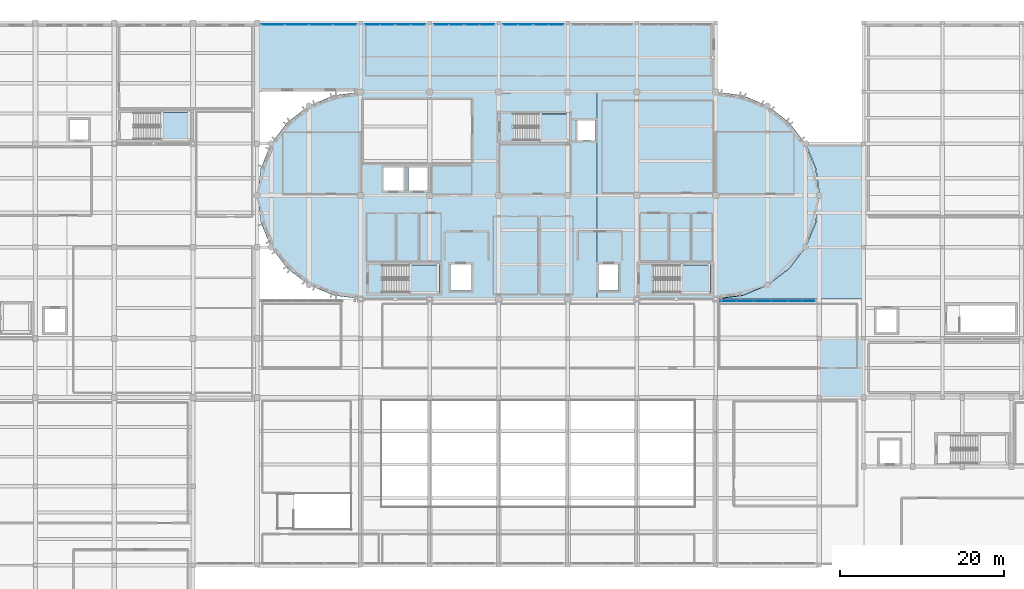
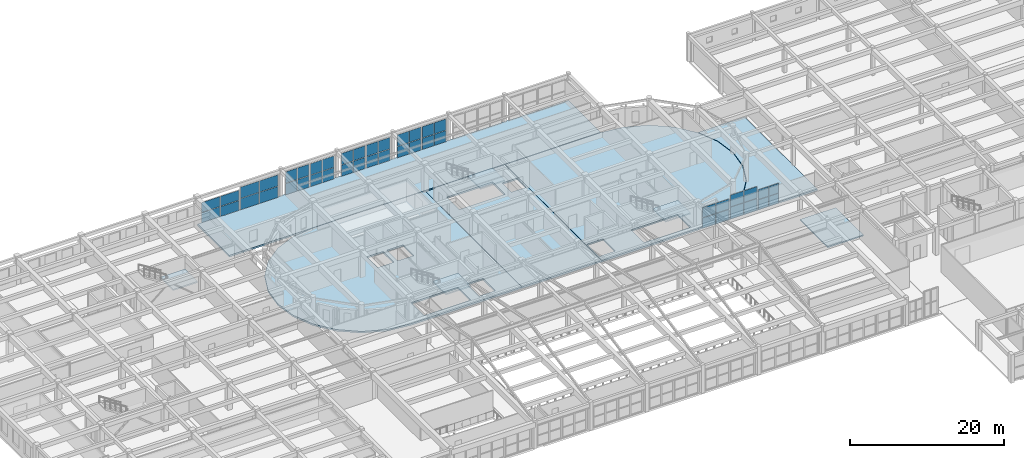
# One storey, part 62 of 91: 44 plates, 10 slabs, 15 elements without a shape of their own.
"""IFC4 building model written with IfcOpenShell, lengths in metres."""

from ifc_helpers import new_model, si_unit, direction, frame, origin, origin_2d, place, context, subcontext, project, spatial, polyline, rectangle, outline, extrude, material, layer, layer_set, type_object, element, aggregate, save


model = new_model("IFC4")

# Units and contexts
model_context = context("Model", 3, precision=1e-05, world=origin(), true_north=direction((0.0, 1.0)))
body_context = subcontext(model_context, "Body", "Model", "MODEL_VIEW")
ifc_project = project(units=[si_unit("LENGTHUNIT", "METRE"), si_unit("AREAUNIT", "SQUARE_METRE"), si_unit("VOLUMEUNIT", "CUBIC_METRE"), si_unit("PLANEANGLEUNIT", "RADIAN"), si_unit("MASSUNIT", "GRAM", prefix="KILO")], contexts=[model_context])

# Site, building, storey
site_placement = place(None, origin())
site = spatial("IfcSite", under=ifc_project, at=site_placement, CompositionType="ELEMENT")
building_placement = place(site_placement, origin())
building = spatial("IfcBuilding", under=site, at=building_placement, Name="Tarnavel Promenade Courthouse", CompositionType="ELEMENT")
storey_placement = place(building_placement, frame((0.0, 0.0, 9.89990234375)))
storey = spatial("IfcBuildingStorey", under=building, at=storey_placement, Name="L03", CompositionType="ELEMENT", Elevation=9.89990234375)

# Slab
ifc_material_1 = material(Name="Concrete C35/45", Category="concrete")
ifc_layer_1 = layer(ifc_material_1, 0.195068359375)
ifc_layer_set_1 = layer_set([ifc_layer_1], Name="Concrete C35/45")
slab_type_1 = type_object("IfcSlabType", Name="Concrete C35/45 SLB-RF-195 (195 mm)", PredefinedType="ROOF", material=ifc_layer_set_1)
slab_1_placement = place(storey_placement, frame((0.0, 0.0, -0.19482421875)))
element("IfcSlab", 1, at=slab_1_placement, inside=storey, type_object=slab_type_1, Name="L03 East Link Bridge Insulated Roof", PredefinedType="ROOF", context=body_context, shape_type="SweptSolid", body=[
    extrude(outline(polyline([(114.6201171875, 67.219970703125), (119.97998046875, 67.219970703125), (119.97998046875, 74.3798828125), (114.6201171875, 74.3798828125), (114.6201171875, 67.219970703125)])), origin(), (0.0, 0.0, 1.0), 0.19482421875),
])

# Stair, slab
stair_type_1 = type_object("IfcStairType", Name="Concrete C35/45 Half-Turn Stair STR-03 (1560W-300G-24R)", PredefinedType="HALF_TURN_STAIR", material=ifc_material_1)
stair_1_placement = place(storey_placement, origin())
stair_1 = element("IfcStair", 2, at=stair_1_placement, inside=storey, type_object=stair_type_1, Name="L03 West Bar Firefighting Exit Stair", PredefinedType="HALF_TURN_STAIR")
ifc_layer_2 = layer(ifc_material_1, 0.205078125)
ifc_layer_set_2 = layer_set([ifc_layer_2], Name="Concrete C35/45")
slab_type_2 = type_object("IfcSlabType", Name="Concrete C35/45 Stair Landing SLB-LND-205 (205 mm)", PredefinedType="LANDING", material=ifc_layer_set_2)
slab_2_placement = place(storey_placement, frame((0.0, 0.0, 2.050048828125)))
slab_2 = element("IfcSlab", 3, at=slab_2_placement, type_object=slab_type_2, Name="ST-01 landing 1", PredefinedType="LANDING", context=body_context, shape_type="SweptSolid", body=[
    extrude(outline(polyline([(64.659912109375, 80.0), (68.39990234375, 80.0), (68.39990234375, 83.320068359375), (64.659912109375, 83.320068359375), (64.659912109375, 80.0)])), origin(), (0.0, 0.0, 1.0), 0.199951171875),
])
aggregate(stair_1, [slab_2])

stair_2_placement = place(storey_placement, origin())
stair_2 = element("IfcStair", 4, at=stair_2_placement, inside=storey, type_object=stair_type_1, Name="L03 East Bar Firefighting Exit Stair", PredefinedType="HALF_TURN_STAIR")
slab_3_placement = place(storey_placement, frame((0.0, 0.0, 2.050048828125)))
slab_3 = element("IfcSlab", 5, at=slab_3_placement, type_object=slab_type_2, Name="ST-02 landing 1", PredefinedType="LANDING", context=body_context, shape_type="SweptSolid", body=[
    extrude(outline(polyline([(97.659912109375, 80.0), (101.39990234375, 80.0), (101.39990234375, 83.320068359375), (97.659912109375, 83.320068359375), (97.659912109375, 80.0)])), origin(), (0.0, 0.0, 1.0), 0.199951171875),
])
aggregate(stair_2, [slab_3])

stair_type_2 = type_object("IfcStairType", Name="Concrete C35/45 Half-Turn Stair STR-06 (1520W-290G-24R)", PredefinedType="HALF_TURN_STAIR", material=ifc_material_1)
stair_3_placement = place(storey_placement, origin())
stair_3 = element("IfcStair", 6, at=stair_3_placement, inside=storey, type_object=stair_type_2, Name="L03 Central Judicial Chambers Exit Stair", PredefinedType="HALF_TURN_STAIR")
slab_4_placement = place(storey_placement, frame((0.0, 0.0, 2.050048828125)))
slab_4 = element("IfcSlab", 7, at=slab_4_placement, type_object=slab_type_2, Name="ST-03 landing 1", PredefinedType="LANDING", context=body_context, shape_type="SweptSolid", body=[
    extrude(outline(polyline([(80.510009765625, 98.5), (84.199951171875, 98.5), (84.199951171875, 101.739990234375), (80.510009765625, 101.739990234375), (80.510009765625, 98.5)])), origin(), (0.0, 0.0, 1.0), 0.199951171875),
])
aggregate(stair_3, [slab_4])

stair_type_3 = type_object("IfcStairType", Name="Concrete C35/45 Half-Turn Stair STR-12 (1540W-300G-24R)", PredefinedType="HALF_TURN_STAIR", material=ifc_material_1)
stair_4_placement = place(storey_placement, origin())
stair_4 = element("IfcStair", 8, at=stair_4_placement, inside=storey, type_object=stair_type_3, Name="L03 Trial Courts North Exit Stair", PredefinedType="HALF_TURN_STAIR")
slab_5_placement = place(storey_placement, frame((0.0, 0.0, 2.050048828125)))
slab_5 = element("IfcSlab", 9, at=slab_5_placement, type_object=slab_type_2, Name="ST-07 landing 1", PredefinedType="LANDING", context=body_context, shape_type="SweptSolid", body=[
    extrude(outline(polyline([(34.43994140625, 98.60009765625), (38.10009765625, 98.60009765625), (38.10009765625, 101.8798828125), (34.43994140625, 101.8798828125), (34.43994140625, 98.60009765625)])), origin(), (0.0, 0.0, 1.0), 0.199951171875),
])
aggregate(stair_4, [slab_5])

# Slabs
ifc_material_2 = material(Name="Concrete C40/50", Category="concrete")
ifc_layer_3 = layer(ifc_material_2, 0.25)
ifc_layer_set_3 = layer_set([ifc_layer_3], Name="Concrete C40/50")
slab_type_3 = type_object("IfcSlabType", Name="Concrete C40/50 SLB-PT-250 (250 mm)", PredefinedType="FLOOR", material=ifc_layer_set_3)
slab_6_placement = place(storey_placement, frame((0.0, 0.0, -0.25)))
element("IfcSlab", 10, at=slab_6_placement, inside=storey, type_object=slab_type_3, Name="L03 East Custody Link Neck Floor Slab", PredefinedType="FLOOR", context=body_context, shape_type="SweptSolid", body=[
    extrude(outline(polyline([(102.050048828125, 79.219970703125), (119.97998046875, 79.219970703125), (119.97998046875, 98.10009765625), (112.9619140625, 98.10009765625), (114.220703125, 95.06103515625), (114.64990234375, 91.800048828125), (114.220703125, 88.538818359375), (112.9619140625, 85.5), (110.95947265625, 82.890380859375), (108.35009765625, 80.88818359375), (105.31103515625, 79.62939453125), (102.050048828125, 79.219970703125)])), origin(), (0.0, 0.0, 1.0), 0.25),
])
ifc_layer_4 = layer(ifc_material_2, 0.260009765625)
ifc_layer_set_4 = layer_set([ifc_layer_4], Name="Concrete C40/50")
slab_type_4 = type_object("IfcSlabType", Name="Concrete C40/50 SLB-PT-260 (260 mm)", PredefinedType="FLOOR", material=ifc_layer_set_4)
slab_7_placement = place(storey_placement, frame((0.0, 0.0, -0.260009765625)))
element("IfcSlab", 11, at=slab_7_placement, inside=storey, type_object=slab_type_4, Name="L03 Stacked Courts West Drum Floor Slab", PredefinedType="FLOOR", context=body_context, shape_type="SweptSolid", body=[
    extrude(outline(polyline([(75.580078125, 79.219970703125), (75.580078125, 104.3798828125), (58.800048828125, 104.39990234375), (55.538818359375, 103.970703125), (52.5, 102.7119140625), (49.890380859375, 100.70947265625), (47.88818359375, 98.10009765625), (46.62939453125, 95.06103515625), (46.199951171875, 91.800048828125), (46.62939453125, 88.538818359375), (47.88818359375, 85.5), (49.890380859375, 82.890380859375), (52.5, 80.88818359375), (55.538818359375, 79.62939453125), (58.800048828125, 79.199951171875), (75.580078125, 79.219970703125)]), holes=[polyline([(61.405029296875, 80.0), (68.39990234375, 80.0), (68.39990234375, 83.320068359375), (61.405029296875, 83.320068359375), (61.405029296875, 80.0)]), polyline([(69.800048828125, 80.199951171875), (72.199951171875, 80.199951171875), (72.199951171875, 83.39990234375), (69.800048828125, 83.39990234375), (69.800048828125, 80.199951171875)]), polyline([(61.60009765625, 92.39990234375), (64.0, 92.39990234375), (64.0, 95.199951171875), (61.60009765625, 95.199951171875), (61.60009765625, 92.39990234375)]), polyline([(64.60009765625, 92.39990234375), (67.0, 92.39990234375), (67.0, 95.199951171875), (64.60009765625, 95.199951171875), (64.60009765625, 92.39990234375)])]), origin(), (0.0, 0.0, 1.0), 0.260009765625),
])
slab_8_placement = place(storey_placement, frame((0.0, 0.0, -0.260009765625)))
element("IfcSlab", 12, at=slab_8_placement, inside=storey, type_object=slab_type_4, Name="L03 Stacked Courts Central Floor Slab", PredefinedType="FLOOR", context=body_context, shape_type="SweptSolid", body=[
    extrude(outline(polyline([(75.6201171875, 79.219970703125), (87.580078125, 79.219970703125), (87.580078125, 104.3798828125), (77.02001953125, 104.3798828125), (77.02001953125, 104.219970703125), (75.6201171875, 104.219970703125), (75.6201171875, 79.219970703125)]), holes=[polyline([(77.364990234375, 98.5), (84.199951171875, 98.5), (84.199951171875, 101.739990234375), (77.364990234375, 101.739990234375), (77.364990234375, 98.5)]), polyline([(85.199951171875, 98.5), (87.39990234375, 98.5), (87.39990234375, 100.89990234375), (85.199951171875, 100.89990234375), (85.199951171875, 98.5)])]), origin(), (0.0, 0.0, 1.0), 0.260009765625),
])
slab_9_placement = place(storey_placement, frame((0.0, 0.0, -0.260009765625)))
element("IfcSlab", 13, at=slab_9_placement, inside=storey, type_object=slab_type_4, Name="L03 Stacked Courts East Drum Floor Slab", PredefinedType="FLOOR", context=body_context, shape_type="SweptSolid", body=[
    extrude(outline(polyline([(87.6201171875, 104.3798828125), (87.6201171875, 79.219970703125), (102.0, 79.199951171875), (105.26123046875, 79.62939453125), (108.300048828125, 80.88818359375), (110.909423828125, 82.890380859375), (112.911865234375, 85.5), (114.170654296875, 88.538818359375), (114.60009765625, 91.800048828125), (114.170654296875, 95.06103515625), (112.911865234375, 98.10009765625), (110.909423828125, 100.70947265625), (108.300048828125, 102.7119140625), (105.26123046875, 103.970703125), (102.0, 104.39990234375), (87.6201171875, 104.3798828125)]), holes=[polyline([(94.405029296875, 80.0), (101.39990234375, 80.0), (101.39990234375, 83.320068359375), (94.405029296875, 83.320068359375), (94.405029296875, 80.0)]), polyline([(87.800048828125, 80.199951171875), (90.199951171875, 80.199951171875), (90.199951171875, 83.39990234375), (87.800048828125, 83.39990234375), (87.800048828125, 80.199951171875)])]), origin(), (0.0, 0.0, 1.0), 0.260009765625),
])
slab_10_placement = place(storey_placement, frame((0.0, 0.0, -0.260009765625)))
element("IfcSlab", 14, at=slab_10_placement, inside=storey, type_object=slab_type_4, Name="L03 North Civic Entrance Foyer Slab", PredefinedType="FLOOR", context=body_context, shape_type="SweptSolid", body=[
    extrude(outline(polyline([(46.219970703125, 104.419921875), (102.0, 104.419921875), (102.0, 112.800048828125), (47.6201171875, 112.800048828125), (47.6201171875, 112.639892578125), (46.219970703125, 112.639892578125), (46.219970703125, 104.419921875)])), origin(), (0.0, 0.0, 1.0), 0.260009765625),
])

# Curtain wall, plates
ifc_material_3 = material(Name="Thermally Broken Anodised Aluminium Curtain Wall System", Category="aluminium")
ifc_layer_5 = layer(ifc_material_3, 0.2099609375)
ifc_layer_set_5 = layer_set([ifc_layer_5], Name="Thermally Broken Anodised Aluminium Curtain Wall System")
curtain_wall_type_1 = type_object("IfcCurtainWallType", Name="Thermally Broken Aluminium Triple-Glazed Curtain Wall CW-WG-N", PredefinedType="NOTDEFINED", material=ifc_layer_set_5)
curtain_wall_1_placement = place(storey_placement, origin())
curtain_wall_1 = element("IfcCurtainWall", 15, at=curtain_wall_1_placement, inside=storey, type_object=curtain_wall_type_1, Name="L03 Winter-Garden North Curtain Wall 117", PredefinedType="NOTDEFINED")
ifc_material_4 = material(Name="Triple Low-E Argon Insulated Glazing", Category="glass")
ifc_layer_6 = layer(ifc_material_4, 0.048095703125)
ifc_layer_set_6 = layer_set([ifc_layer_6], Name="Triple Low-E Argon Insulated Glazing")
plate_type = type_object("IfcPlateType", Name="Triple Low-E Argon Insulated Glazing Unit CWP-48 (48 mm)", PredefinedType="CURTAIN_PANEL", material=ifc_layer_set_6)
plate_1_placement = place(storey_placement, frame((103.544921875, 78.949951171875, 0.070068359375), z_axis=(0.0, 0.0, 1.0), x_axis=(1.0, 0.0, 0.0)))
plate_1 = element("IfcPlate", 16, at=plate_1_placement, type_object=plate_type, Name="CW-03 panel 1.1", PredefinedType="CURTAIN_PANEL", context=body_context, shape_type="SweptSolid", body=[
    extrude(rectangle(XDim=1.929931640625, YDim=0.048095703125, at=origin_2d()), origin(), (0.0, 0.0, 1.0), 1.5849609375),
])
plate_2_placement = place(storey_placement, frame((103.544921875, 78.949951171875, 1.72509765625), z_axis=(0.0, 0.0, 1.0), x_axis=(1.0, 0.0, 0.0)))
plate_2 = element("IfcPlate", 17, at=plate_2_placement, type_object=plate_type, Name="CW-03 panel 1.2", PredefinedType="CURTAIN_PANEL", context=body_context, shape_type="SweptSolid", body=[
    extrude(rectangle(XDim=1.929931640625, YDim=0.048095703125, at=origin_2d()), origin(), (0.0, 0.0, 1.0), 1.5849609375),
])
plate_3_placement = place(storey_placement, frame((105.554931640625, 78.949951171875, 0.070068359375), z_axis=(0.0, 0.0, 1.0), x_axis=(1.0, 0.0, 0.0)))
plate_3 = element("IfcPlate", 18, at=plate_3_placement, type_object=plate_type, Name="CW-03 panel 2.1", PredefinedType="CURTAIN_PANEL", context=body_context, shape_type="SweptSolid", body=[
    extrude(rectangle(XDim=1.929931640625, YDim=0.048095703125, at=origin_2d()), origin(), (0.0, 0.0, 1.0), 1.5849609375),
])
plate_4_placement = place(storey_placement, frame((105.554931640625, 78.949951171875, 1.72509765625), z_axis=(0.0, 0.0, 1.0), x_axis=(1.0, 0.0, 0.0)))
plate_4 = element("IfcPlate", 19, at=plate_4_placement, type_object=plate_type, Name="CW-03 panel 2.2", PredefinedType="CURTAIN_PANEL", context=body_context, shape_type="SweptSolid", body=[
    extrude(rectangle(XDim=1.929931640625, YDim=0.048095703125, at=origin_2d()), origin(), (0.0, 0.0, 1.0), 1.5849609375),
])
aggregate(curtain_wall_1, [plate_1, plate_2, plate_3, plate_4])

curtain_wall_2_placement = place(storey_placement, origin())
curtain_wall_2 = element("IfcCurtainWall", 20, at=curtain_wall_2_placement, inside=storey, type_object=curtain_wall_type_1, Name="L03 Winter-Garden North Curtain Wall 118", PredefinedType="NOTDEFINED")
plate_5_placement = place(storey_placement, frame((107.7451171875, 78.949951171875, 0.070068359375), z_axis=(0.0, 0.0, 1.0), x_axis=(1.0, 0.0, 0.0)))
plate_5 = element("IfcPlate", 21, at=plate_5_placement, type_object=plate_type, Name="CW-03 panel 1.1", PredefinedType="CURTAIN_PANEL", context=body_context, shape_type="SweptSolid", body=[
    extrude(rectangle(XDim=1.929931640625, YDim=0.048095703125, at=origin_2d()), origin(), (0.0, 0.0, 1.0), 1.8349609375),
])
plate_6_placement = place(storey_placement, frame((107.7451171875, 78.949951171875, 1.97509765625), z_axis=(0.0, 0.0, 1.0), x_axis=(1.0, 0.0, 0.0)))
plate_6 = element("IfcPlate", 22, at=plate_6_placement, type_object=plate_type, Name="CW-03 panel 1.2", PredefinedType="CURTAIN_PANEL", context=body_context, shape_type="SweptSolid", body=[
    extrude(rectangle(XDim=1.929931640625, YDim=0.048095703125, at=origin_2d()), origin(), (0.0, 0.0, 1.0), 1.8349609375),
])
plate_7_placement = place(storey_placement, frame((109.7548828125, 78.949951171875, 0.070068359375), z_axis=(0.0, 0.0, 1.0), x_axis=(1.0, 0.0, 0.0)))
plate_7 = element("IfcPlate", 23, at=plate_7_placement, type_object=plate_type, Name="CW-03 panel 2.1", PredefinedType="CURTAIN_PANEL", context=body_context, shape_type="SweptSolid", body=[
    extrude(rectangle(XDim=1.929931640625, YDim=0.048095703125, at=origin_2d()), origin(), (0.0, 0.0, 1.0), 1.8349609375),
])
plate_8_placement = place(storey_placement, frame((109.7548828125, 78.949951171875, 1.97509765625), z_axis=(0.0, 0.0, 1.0), x_axis=(1.0, 0.0, 0.0)))
plate_8 = element("IfcPlate", 24, at=plate_8_placement, type_object=plate_type, Name="CW-03 panel 2.2", PredefinedType="CURTAIN_PANEL", context=body_context, shape_type="SweptSolid", body=[
    extrude(rectangle(XDim=1.929931640625, YDim=0.048095703125, at=origin_2d()), origin(), (0.0, 0.0, 1.0), 1.8349609375),
])
aggregate(curtain_wall_2, [plate_5, plate_6, plate_7, plate_8])

curtain_wall_3_placement = place(storey_placement, origin())
curtain_wall_3 = element("IfcCurtainWall", 25, at=curtain_wall_3_placement, inside=storey, type_object=curtain_wall_type_1, Name="L03 Winter-Garden North Curtain Wall 119", PredefinedType="NOTDEFINED")
plate_9_placement = place(storey_placement, frame((111.719970703125, 78.949951171875, 0.0703125), z_axis=(0.0, 0.0, 1.0), x_axis=(1.0, 0.0, 0.0)))
plate_9 = element("IfcPlate", 26, at=plate_9_placement, type_object=plate_type, Name="CW-03 panel 1.1", PredefinedType="CURTAIN_PANEL", context=body_context, shape_type="SweptSolid", body=[
    extrude(rectangle(XDim=1.47998046875, YDim=0.048095703125, at=origin_2d()), origin(), (0.0, 0.0, 1.0), 1.534912109375),
])
plate_10_placement = place(storey_placement, frame((111.719970703125, 78.949951171875, 1.67529296875), z_axis=(0.0, 0.0, 1.0), x_axis=(1.0, 0.0, 0.0)))
plate_10 = element("IfcPlate", 27, at=plate_10_placement, type_object=plate_type, Name="CW-03 panel 1.2", PredefinedType="CURTAIN_PANEL", context=body_context, shape_type="SweptSolid", body=[
    extrude(rectangle(XDim=1.47998046875, YDim=0.048095703125, at=origin_2d()), origin(), (0.0, 0.0, 1.0), 1.534912109375),
])
plate_11_placement = place(storey_placement, frame((113.280029296875, 78.949951171875, 0.0703125), z_axis=(0.0, 0.0, 1.0), x_axis=(1.0, 0.0, 0.0)))
plate_11 = element("IfcPlate", 28, at=plate_11_placement, type_object=plate_type, Name="CW-03 panel 2.1", PredefinedType="CURTAIN_PANEL", context=body_context, shape_type="SweptSolid", body=[
    extrude(rectangle(XDim=1.47998046875, YDim=0.048095703125, at=origin_2d()), origin(), (0.0, 0.0, 1.0), 1.534912109375),
])
plate_12_placement = place(storey_placement, frame((113.280029296875, 78.949951171875, 1.67529296875), z_axis=(0.0, 0.0, 1.0), x_axis=(1.0, 0.0, 0.0)))
plate_12 = element("IfcPlate", 29, at=plate_12_placement, type_object=plate_type, Name="CW-03 panel 2.2", PredefinedType="CURTAIN_PANEL", context=body_context, shape_type="SweptSolid", body=[
    extrude(rectangle(XDim=1.47998046875, YDim=0.048095703125, at=origin_2d()), origin(), (0.0, 0.0, 1.0), 1.534912109375),
])
aggregate(curtain_wall_3, [plate_9, plate_10, plate_11, plate_12])

ifc_layer_7 = layer(ifc_material_3, 0.199951171875)
ifc_layer_set_7 = layer_set([ifc_layer_7], Name="Thermally Broken Anodised Aluminium Curtain Wall System")
curtain_wall_type_2 = type_object("IfcCurtainWallType", Name="Thermally Broken Aluminium Triple-Glazed Curtain Wall CW-FOYER", PredefinedType="NOTDEFINED", material=ifc_layer_set_7)
curtain_wall_4_placement = place(storey_placement, origin())
curtain_wall_4 = element("IfcCurtainWall", 30, at=curtain_wall_4_placement, inside=storey, type_object=curtain_wall_type_2, Name="L03 North Foyer Curtain Wall A 138", PredefinedType="NOTDEFINED")
plate_13_placement = place(storey_placement, frame((48.14501953125, 112.580078125, 0.070068359375), z_axis=(0.0, 0.0, 1.0), x_axis=(1.0, 0.0, 0.0)))
plate_13 = element("IfcPlate", 31, at=plate_13_placement, type_object=plate_type, Name="CW-04 panel 1.1", PredefinedType="CURTAIN_PANEL", context=body_context, shape_type="SweptSolid", body=[
    extrude(rectangle(XDim=2.77001953125, YDim=0.048095703125, at=origin_2d()), origin(), (0.0, 0.0, 1.0), 1.56005859375),
])
plate_14_placement = place(storey_placement, frame((48.14501953125, 112.580078125, 1.699951171875), z_axis=(0.0, 0.0, 1.0), x_axis=(1.0, 0.0, 0.0)))
plate_14 = element("IfcPlate", 32, at=plate_14_placement, type_object=plate_type, Name="CW-04 panel 1.2", PredefinedType="CURTAIN_PANEL", context=body_context, shape_type="SweptSolid", body=[
    extrude(rectangle(XDim=2.77001953125, YDim=0.048095703125, at=origin_2d()), origin(), (0.0, 0.0, 1.0), 1.56005859375),
])
plate_15_placement = place(storey_placement, frame((50.9951171875, 112.580078125, 0.070068359375), z_axis=(0.0, 0.0, 1.0), x_axis=(1.0, 0.0, 0.0)))
plate_15 = element("IfcPlate", 33, at=plate_15_placement, type_object=plate_type, Name="CW-04 panel 2.1", PredefinedType="CURTAIN_PANEL", context=body_context, shape_type="SweptSolid", body=[
    extrude(rectangle(XDim=2.77001953125, YDim=0.048095703125, at=origin_2d()), origin(), (0.0, 0.0, 1.0), 1.56005859375),
])
plate_16_placement = place(storey_placement, frame((50.9951171875, 112.580078125, 1.699951171875), z_axis=(0.0, 0.0, 1.0), x_axis=(1.0, 0.0, 0.0)))
plate_16 = element("IfcPlate", 34, at=plate_16_placement, type_object=plate_type, Name="CW-04 panel 2.2", PredefinedType="CURTAIN_PANEL", context=body_context, shape_type="SweptSolid", body=[
    extrude(rectangle(XDim=2.77001953125, YDim=0.048095703125, at=origin_2d()), origin(), (0.0, 0.0, 1.0), 1.56005859375),
])
aggregate(curtain_wall_4, [plate_13, plate_14, plate_15, plate_16])

curtain_wall_5_placement = place(storey_placement, origin())
curtain_wall_5 = element("IfcCurtainWall", 35, at=curtain_wall_5_placement, inside=storey, type_object=curtain_wall_type_2, Name="L03 North Foyer Curtain Wall B 139", PredefinedType="NOTDEFINED")
plate_17_placement = place(storey_placement, frame((54.0048828125, 112.580078125, 0.0703125), z_axis=(0.0, 0.0, 1.0), x_axis=(1.0, 0.0, 0.0)))
plate_17 = element("IfcPlate", 36, at=plate_17_placement, type_object=plate_type, Name="CW-04 panel 1.1", PredefinedType="CURTAIN_PANEL", context=body_context, shape_type="SweptSolid", body=[
    extrude(rectangle(XDim=2.77001953125, YDim=0.048095703125, at=origin_2d()), origin(), (0.0, 0.0, 1.0), 1.760009765625),
])
plate_18_placement = place(storey_placement, frame((54.0048828125, 112.580078125, 1.89990234375), z_axis=(0.0, 0.0, 1.0), x_axis=(1.0, 0.0, 0.0)))
plate_18 = element("IfcPlate", 37, at=plate_18_placement, type_object=plate_type, Name="CW-04 panel 1.2", PredefinedType="CURTAIN_PANEL", context=body_context, shape_type="SweptSolid", body=[
    extrude(rectangle(XDim=2.77001953125, YDim=0.048095703125, at=origin_2d()), origin(), (0.0, 0.0, 1.0), 1.760009765625),
])
plate_19_placement = place(storey_placement, frame((56.85498046875, 112.580078125, 0.0703125), z_axis=(0.0, 0.0, 1.0), x_axis=(1.0, 0.0, 0.0)))
plate_19 = element("IfcPlate", 38, at=plate_19_placement, type_object=plate_type, Name="CW-04 panel 2.1", PredefinedType="CURTAIN_PANEL", context=body_context, shape_type="SweptSolid", body=[
    extrude(rectangle(XDim=2.77001953125, YDim=0.048095703125, at=origin_2d()), origin(), (0.0, 0.0, 1.0), 1.760009765625),
])
plate_20_placement = place(storey_placement, frame((56.85498046875, 112.580078125, 1.89990234375), z_axis=(0.0, 0.0, 1.0), x_axis=(1.0, 0.0, 0.0)))
plate_20 = element("IfcPlate", 39, at=plate_20_placement, type_object=plate_type, Name="CW-04 panel 2.2", PredefinedType="CURTAIN_PANEL", context=body_context, shape_type="SweptSolid", body=[
    extrude(rectangle(XDim=2.77001953125, YDim=0.048095703125, at=origin_2d()), origin(), (0.0, 0.0, 1.0), 1.760009765625),
])
aggregate(curtain_wall_5, [plate_17, plate_18, plate_19, plate_20])

curtain_wall_6_placement = place(storey_placement, origin())
curtain_wall_6 = element("IfcCurtainWall", 40, at=curtain_wall_6_placement, inside=storey, type_object=curtain_wall_type_2, Name="L03 North Foyer Curtain Wall A 140", PredefinedType="NOTDEFINED")
plate_21_placement = place(storey_placement, frame((60.219970703125, 112.580078125, 0.0703125), z_axis=(0.0, 0.0, 1.0), x_axis=(1.0, 0.0, 0.0)))
plate_21 = element("IfcPlate", 41, at=plate_21_placement, type_object=plate_type, Name="CW-04 panel 1.1", PredefinedType="CURTAIN_PANEL", context=body_context, shape_type="SweptSolid", body=[
    extrude(rectangle(XDim=1.719970703125, YDim=0.048095703125, at=origin_2d()), origin(), (0.0, 0.0, 1.0), 1.784912109375),
])
plate_22_placement = place(storey_placement, frame((60.219970703125, 112.580078125, 1.92529296875), z_axis=(0.0, 0.0, 1.0), x_axis=(1.0, 0.0, 0.0)))
plate_22 = element("IfcPlate", 42, at=plate_22_placement, type_object=plate_type, Name="CW-04 panel 1.2", PredefinedType="CURTAIN_PANEL", context=body_context, shape_type="SweptSolid", body=[
    extrude(rectangle(XDim=1.719970703125, YDim=0.048095703125, at=origin_2d()), origin(), (0.0, 0.0, 1.0), 1.784912109375),
])
plate_23_placement = place(storey_placement, frame((62.02001953125, 112.580078125, 0.0703125), z_axis=(0.0, 0.0, 1.0), x_axis=(1.0, 0.0, 0.0)))
plate_23 = element("IfcPlate", 43, at=plate_23_placement, type_object=plate_type, Name="CW-04 panel 2.1", PredefinedType="CURTAIN_PANEL", context=body_context, shape_type="SweptSolid", body=[
    extrude(rectangle(XDim=1.719970703125, YDim=0.048095703125, at=origin_2d()), origin(), (0.0, 0.0, 1.0), 1.784912109375),
])
plate_24_placement = place(storey_placement, frame((62.02001953125, 112.580078125, 1.92529296875), z_axis=(0.0, 0.0, 1.0), x_axis=(1.0, 0.0, 0.0)))
plate_24 = element("IfcPlate", 44, at=plate_24_placement, type_object=plate_type, Name="CW-04 panel 2.2", PredefinedType="CURTAIN_PANEL", context=body_context, shape_type="SweptSolid", body=[
    extrude(rectangle(XDim=1.719970703125, YDim=0.048095703125, at=origin_2d()), origin(), (0.0, 0.0, 1.0), 1.784912109375),
])
aggregate(curtain_wall_6, [plate_21, plate_22, plate_23, plate_24])

curtain_wall_7_placement = place(storey_placement, origin())
curtain_wall_7 = element("IfcCurtainWall", 45, at=curtain_wall_7_placement, inside=storey, type_object=curtain_wall_type_2, Name="L03 North Foyer Curtain Wall B 141", PredefinedType="NOTDEFINED")
plate_25_placement = place(storey_placement, frame((63.97998046875, 112.580078125, 0.0703125), z_axis=(0.0, 0.0, 1.0), x_axis=(1.0, 0.0, 0.0)))
plate_25 = element("IfcPlate", 46, at=plate_25_placement, type_object=plate_type, Name="CW-04 panel 1.1", PredefinedType="CURTAIN_PANEL", context=body_context, shape_type="SweptSolid", body=[
    extrude(rectangle(XDim=1.719970703125, YDim=0.048095703125, at=origin_2d()), origin(), (0.0, 0.0, 1.0), 1.784912109375),
])
plate_26_placement = place(storey_placement, frame((63.97998046875, 112.580078125, 1.92529296875), z_axis=(0.0, 0.0, 1.0), x_axis=(1.0, 0.0, 0.0)))
plate_26 = element("IfcPlate", 47, at=plate_26_placement, type_object=plate_type, Name="CW-04 panel 1.2", PredefinedType="CURTAIN_PANEL", context=body_context, shape_type="SweptSolid", body=[
    extrude(rectangle(XDim=1.719970703125, YDim=0.048095703125, at=origin_2d()), origin(), (0.0, 0.0, 1.0), 1.784912109375),
])
plate_27_placement = place(storey_placement, frame((65.780029296875, 112.580078125, 0.0703125), z_axis=(0.0, 0.0, 1.0), x_axis=(1.0, 0.0, 0.0)))
plate_27 = element("IfcPlate", 48, at=plate_27_placement, type_object=plate_type, Name="CW-04 panel 2.1", PredefinedType="CURTAIN_PANEL", context=body_context, shape_type="SweptSolid", body=[
    extrude(rectangle(XDim=1.719970703125, YDim=0.048095703125, at=origin_2d()), origin(), (0.0, 0.0, 1.0), 1.784912109375),
])
plate_28_placement = place(storey_placement, frame((65.780029296875, 112.580078125, 1.92529296875), z_axis=(0.0, 0.0, 1.0), x_axis=(1.0, 0.0, 0.0)))
plate_28 = element("IfcPlate", 49, at=plate_28_placement, type_object=plate_type, Name="CW-04 panel 2.2", PredefinedType="CURTAIN_PANEL", context=body_context, shape_type="SweptSolid", body=[
    extrude(rectangle(XDim=1.719970703125, YDim=0.048095703125, at=origin_2d()), origin(), (0.0, 0.0, 1.0), 1.784912109375),
])
aggregate(curtain_wall_7, [plate_25, plate_26, plate_27, plate_28])

curtain_wall_8_placement = place(storey_placement, origin())
curtain_wall_8 = element("IfcCurtainWall", 50, at=curtain_wall_8_placement, inside=storey, type_object=curtain_wall_type_2, Name="L03 North Foyer Curtain Wall A 142", PredefinedType="NOTDEFINED")
plate_29_placement = place(storey_placement, frame((68.6201171875, 112.580078125, 0.0703125), z_axis=(0.0, 0.0, 1.0), x_axis=(1.0, 0.0, 0.0)))
plate_29 = element("IfcPlate", 51, at=plate_29_placement, type_object=plate_type, Name="CW-04 panel 1.1", PredefinedType="CURTAIN_PANEL", context=body_context, shape_type="SweptSolid", body=[
    extrude(rectangle(XDim=1.719970703125, YDim=0.048095703125, at=origin_2d()), origin(), (0.0, 0.0, 1.0), 1.784912109375),
])
plate_30_placement = place(storey_placement, frame((68.6201171875, 112.580078125, 1.92529296875), z_axis=(0.0, 0.0, 1.0), x_axis=(1.0, 0.0, 0.0)))
plate_30 = element("IfcPlate", 52, at=plate_30_placement, type_object=plate_type, Name="CW-04 panel 1.2", PredefinedType="CURTAIN_PANEL", context=body_context, shape_type="SweptSolid", body=[
    extrude(rectangle(XDim=1.719970703125, YDim=0.048095703125, at=origin_2d()), origin(), (0.0, 0.0, 1.0), 1.784912109375),
])
plate_31_placement = place(storey_placement, frame((70.419921875, 112.580078125, 0.0703125), z_axis=(0.0, 0.0, 1.0), x_axis=(1.0, 0.0, 0.0)))
plate_31 = element("IfcPlate", 53, at=plate_31_placement, type_object=plate_type, Name="CW-04 panel 2.1", PredefinedType="CURTAIN_PANEL", context=body_context, shape_type="SweptSolid", body=[
    extrude(rectangle(XDim=1.719970703125, YDim=0.048095703125, at=origin_2d()), origin(), (0.0, 0.0, 1.0), 1.784912109375),
])
plate_32_placement = place(storey_placement, frame((70.419921875, 112.580078125, 1.92529296875), z_axis=(0.0, 0.0, 1.0), x_axis=(1.0, 0.0, 0.0)))
plate_32 = element("IfcPlate", 54, at=plate_32_placement, type_object=plate_type, Name="CW-04 panel 2.2", PredefinedType="CURTAIN_PANEL", context=body_context, shape_type="SweptSolid", body=[
    extrude(rectangle(XDim=1.719970703125, YDim=0.048095703125, at=origin_2d()), origin(), (0.0, 0.0, 1.0), 1.784912109375),
])
aggregate(curtain_wall_8, [plate_29, plate_30, plate_31, plate_32])

curtain_wall_9_placement = place(storey_placement, origin())
curtain_wall_9 = element("IfcCurtainWall", 55, at=curtain_wall_9_placement, inside=storey, type_object=curtain_wall_type_2, Name="L03 North Foyer Curtain Wall B 143", PredefinedType="NOTDEFINED")
plate_33_placement = place(storey_placement, frame((72.3798828125, 112.580078125, 0.0703125), z_axis=(0.0, 0.0, 1.0), x_axis=(1.0, 0.0, 0.0)))
plate_33 = element("IfcPlate", 56, at=plate_33_placement, type_object=plate_type, Name="CW-04 panel 1.1", PredefinedType="CURTAIN_PANEL", context=body_context, shape_type="SweptSolid", body=[
    extrude(rectangle(XDim=1.719970703125, YDim=0.048095703125, at=origin_2d()), origin(), (0.0, 0.0, 1.0), 1.784912109375),
])
plate_34_placement = place(storey_placement, frame((72.3798828125, 112.580078125, 1.92529296875), z_axis=(0.0, 0.0, 1.0), x_axis=(1.0, 0.0, 0.0)))
plate_34 = element("IfcPlate", 57, at=plate_34_placement, type_object=plate_type, Name="CW-04 panel 1.2", PredefinedType="CURTAIN_PANEL", context=body_context, shape_type="SweptSolid", body=[
    extrude(rectangle(XDim=1.719970703125, YDim=0.048095703125, at=origin_2d()), origin(), (0.0, 0.0, 1.0), 1.784912109375),
])
plate_35_placement = place(storey_placement, frame((74.179931640625, 112.580078125, 0.0703125), z_axis=(0.0, 0.0, 1.0), x_axis=(1.0, 0.0, 0.0)))
plate_35 = element("IfcPlate", 58, at=plate_35_placement, type_object=plate_type, Name="CW-04 panel 2.1", PredefinedType="CURTAIN_PANEL", context=body_context, shape_type="SweptSolid", body=[
    extrude(rectangle(XDim=1.719970703125, YDim=0.048095703125, at=origin_2d()), origin(), (0.0, 0.0, 1.0), 1.784912109375),
])
plate_36_placement = place(storey_placement, frame((74.179931640625, 112.580078125, 1.92529296875), z_axis=(0.0, 0.0, 1.0), x_axis=(1.0, 0.0, 0.0)))
plate_36 = element("IfcPlate", 59, at=plate_36_placement, type_object=plate_type, Name="CW-04 panel 2.2", PredefinedType="CURTAIN_PANEL", context=body_context, shape_type="SweptSolid", body=[
    extrude(rectangle(XDim=1.719970703125, YDim=0.048095703125, at=origin_2d()), origin(), (0.0, 0.0, 1.0), 1.784912109375),
])
aggregate(curtain_wall_9, [plate_33, plate_34, plate_35, plate_36])

curtain_wall_10_placement = place(storey_placement, origin())
curtain_wall_10 = element("IfcCurtainWall", 60, at=curtain_wall_10_placement, inside=storey, type_object=curtain_wall_type_2, Name="L03 North Foyer Curtain Wall A 144", PredefinedType="NOTDEFINED")
plate_37_placement = place(storey_placement, frame((77.02001953125, 112.580078125, 0.0703125), z_axis=(0.0, 0.0, 1.0), x_axis=(1.0, 0.0, 0.0)))
plate_37 = element("IfcPlate", 61, at=plate_37_placement, type_object=plate_type, Name="CW-04 panel 1.1", PredefinedType="CURTAIN_PANEL", context=body_context, shape_type="SweptSolid", body=[
    extrude(rectangle(XDim=1.719970703125, YDim=0.048095703125, at=origin_2d()), origin(), (0.0, 0.0, 1.0), 1.784912109375),
])
plate_38_placement = place(storey_placement, frame((77.02001953125, 112.580078125, 1.92529296875), z_axis=(0.0, 0.0, 1.0), x_axis=(1.0, 0.0, 0.0)))
plate_38 = element("IfcPlate", 62, at=plate_38_placement, type_object=plate_type, Name="CW-04 panel 1.2", PredefinedType="CURTAIN_PANEL", context=body_context, shape_type="SweptSolid", body=[
    extrude(rectangle(XDim=1.719970703125, YDim=0.048095703125, at=origin_2d()), origin(), (0.0, 0.0, 1.0), 1.784912109375),
])
plate_39_placement = place(storey_placement, frame((78.820068359375, 112.580078125, 0.0703125), z_axis=(0.0, 0.0, 1.0), x_axis=(1.0, 0.0, 0.0)))
plate_39 = element("IfcPlate", 63, at=plate_39_placement, type_object=plate_type, Name="CW-04 panel 2.1", PredefinedType="CURTAIN_PANEL", context=body_context, shape_type="SweptSolid", body=[
    extrude(rectangle(XDim=1.719970703125, YDim=0.048095703125, at=origin_2d()), origin(), (0.0, 0.0, 1.0), 1.784912109375),
])
plate_40_placement = place(storey_placement, frame((78.820068359375, 112.580078125, 1.92529296875), z_axis=(0.0, 0.0, 1.0), x_axis=(1.0, 0.0, 0.0)))
plate_40 = element("IfcPlate", 64, at=plate_40_placement, type_object=plate_type, Name="CW-04 panel 2.2", PredefinedType="CURTAIN_PANEL", context=body_context, shape_type="SweptSolid", body=[
    extrude(rectangle(XDim=1.719970703125, YDim=0.048095703125, at=origin_2d()), origin(), (0.0, 0.0, 1.0), 1.784912109375),
])
aggregate(curtain_wall_10, [plate_37, plate_38, plate_39, plate_40])

curtain_wall_11_placement = place(storey_placement, origin())
curtain_wall_11 = element("IfcCurtainWall", 65, at=curtain_wall_11_placement, inside=storey, type_object=curtain_wall_type_2, Name="L03 North Foyer Curtain Wall B 145", PredefinedType="NOTDEFINED")
plate_41_placement = place(storey_placement, frame((80.780029296875, 112.580078125, 0.0703125), z_axis=(0.0, 0.0, 1.0), x_axis=(1.0, 0.0, 0.0)))
plate_41 = element("IfcPlate", 66, at=plate_41_placement, type_object=plate_type, Name="CW-04 panel 1.1", PredefinedType="CURTAIN_PANEL", context=body_context, shape_type="SweptSolid", body=[
    extrude(rectangle(XDim=1.719970703125, YDim=0.048095703125, at=origin_2d()), origin(), (0.0, 0.0, 1.0), 1.784912109375),
])
plate_42_placement = place(storey_placement, frame((80.780029296875, 112.580078125, 1.92529296875), z_axis=(0.0, 0.0, 1.0), x_axis=(1.0, 0.0, 0.0)))
plate_42 = element("IfcPlate", 67, at=plate_42_placement, type_object=plate_type, Name="CW-04 panel 1.2", PredefinedType="CURTAIN_PANEL", context=body_context, shape_type="SweptSolid", body=[
    extrude(rectangle(XDim=1.719970703125, YDim=0.048095703125, at=origin_2d()), origin(), (0.0, 0.0, 1.0), 1.784912109375),
])
plate_43_placement = place(storey_placement, frame((82.580078125, 112.580078125, 0.0703125), z_axis=(0.0, 0.0, 1.0), x_axis=(1.0, 0.0, 0.0)))
plate_43 = element("IfcPlate", 68, at=plate_43_placement, type_object=plate_type, Name="CW-04 panel 2.1", PredefinedType="CURTAIN_PANEL", context=body_context, shape_type="SweptSolid", body=[
    extrude(rectangle(XDim=1.719970703125, YDim=0.048095703125, at=origin_2d()), origin(), (0.0, 0.0, 1.0), 1.784912109375),
])
plate_44_placement = place(storey_placement, frame((82.580078125, 112.580078125, 1.92529296875), z_axis=(0.0, 0.0, 1.0), x_axis=(1.0, 0.0, 0.0)))
plate_44 = element("IfcPlate", 69, at=plate_44_placement, type_object=plate_type, Name="CW-04 panel 2.2", PredefinedType="CURTAIN_PANEL", context=body_context, shape_type="SweptSolid", body=[
    extrude(rectangle(XDim=1.719970703125, YDim=0.048095703125, at=origin_2d()), origin(), (0.0, 0.0, 1.0), 1.784912109375),
])
aggregate(curtain_wall_11, [plate_41, plate_42, plate_43, plate_44])

save(model, "model.ifc")
